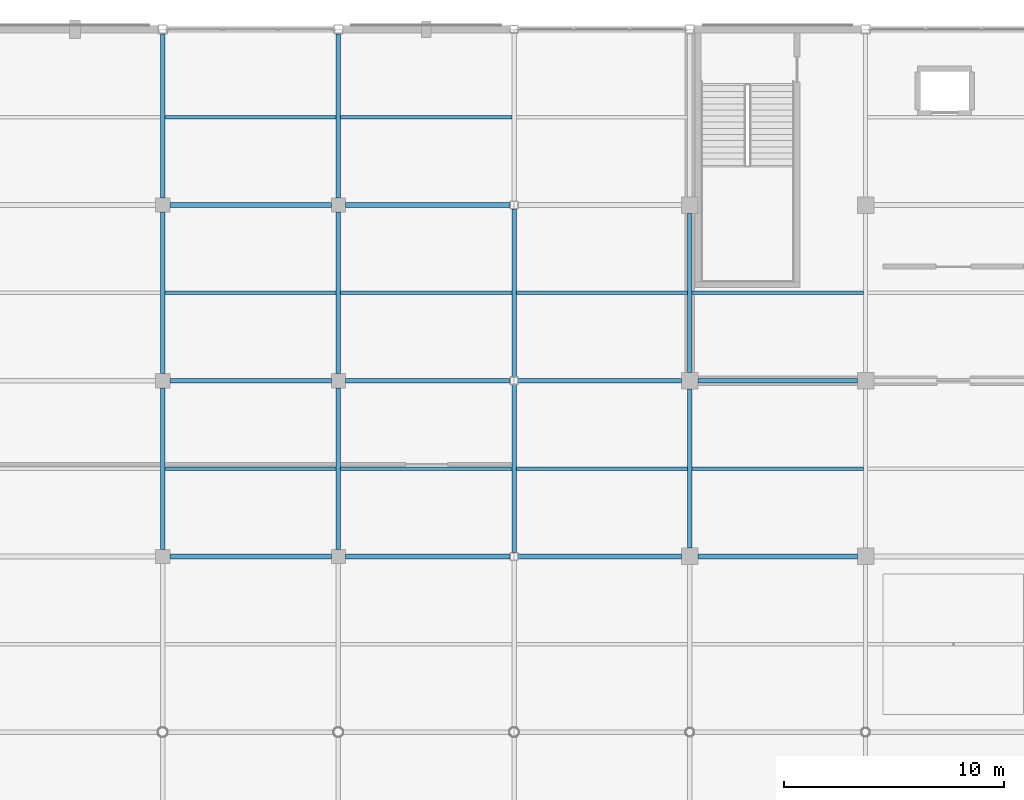
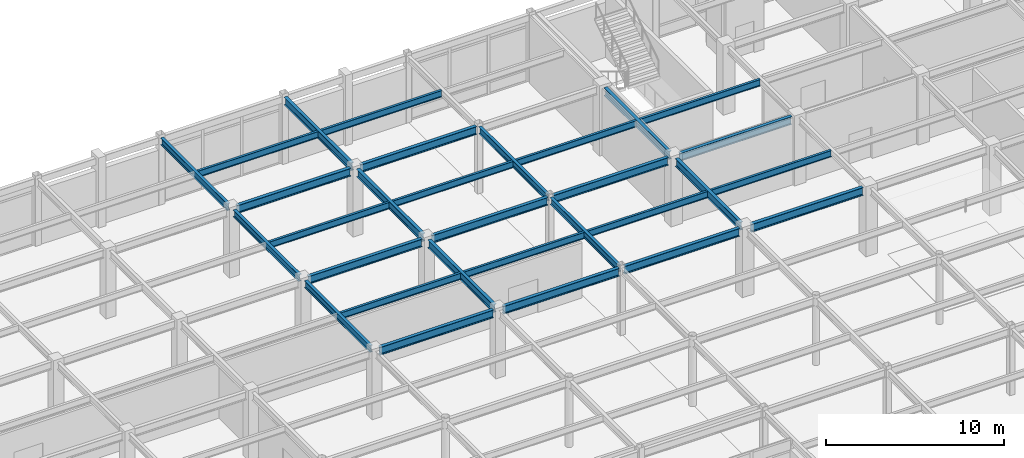
# One storey, part 64 of 117: 30 beams.
"""IFC4 building model written with IfcOpenShell, lengths in metres."""

from ifc_helpers import new_model, si_unit, direction, frame, origin, origin_2d, place, context, subcontext, project, spatial, i_section, extrude, material, material_profile, profile_set, type_object, element, save


model = new_model("IFC4")

# Units and contexts
model_context = context("Model", 3, precision=1e-05, world=origin(), true_north=direction((0.0, 1.0)))
body_context = subcontext(model_context, "Body", "Model", "MODEL_VIEW")
ifc_project = project(units=[si_unit("LENGTHUNIT", "METRE"), si_unit("AREAUNIT", "SQUARE_METRE"), si_unit("VOLUMEUNIT", "CUBIC_METRE"), si_unit("PLANEANGLEUNIT", "RADIAN"), si_unit("MASSUNIT", "GRAM", prefix="KILO")], contexts=[model_context])

# Site, building, storey
site_placement = place(None, origin())
site = spatial("IfcSite", under=ifc_project, at=site_placement, CompositionType="ELEMENT")
building_placement = place(site_placement, origin())
building = spatial("IfcBuilding", under=site, at=building_placement, Name="Solmirada Galleria", CompositionType="ELEMENT")
storey_placement = place(building_placement, frame((0.0, 0.0, 5.60009765625)))
storey = spatial("IfcBuildingStorey", under=building, at=storey_placement, Name="L01", CompositionType="ELEMENT", Elevation=5.60009765625)

# Beams
ifc_material = material(Name="Steel S355 / ASTM A992 Grade 50", Category="steel")
ifc_material_profile_1 = material_profile(ifc_material, i_section(OverallWidth=0.194091796875, OverallDepth=0.468994140625, WebThickness=0.0126953125, FlangeThickness=0.0205078125, FilletRadius=0.013916015625, at=origin_2d()), Name="W18X71")
ifc_profile_set_1 = profile_set([ifc_material_profile_1], Name="Steel S355 / ASTM A992 Grade 50")
beam_type_1 = type_object("IfcBeamType", Name="BM-GIRD-W18B", PredefinedType="BEAM", material=ifc_profile_set_1)
for number, where, z_axis, x_axis, name in (
    (1, (104.0, 96.324951171875, 4.365478515625), (0.0, 1.0, 0.0), (-1.0, 0.0, 0.0), "Primary girder L02 Y(104, 96..104)"),
    (2, (104.0, 104.324951171875, 4.365478515625), (0.0, 1.0, 0.0), (-1.0, 0.0, 0.0), "Primary girder L02 Y(104, 104..112)"),
):
    element("IfcBeam", number, at=place(storey_placement, frame(where, z_axis=z_axis, x_axis=x_axis)), inside=storey, type_object=beam_type_1, Name=name, PredefinedType="BEAM", context=body_context, shape_type="SweptSolid", body=[
        extrude(i_section(OverallWidth=0.194091796875, OverallDepth=0.468994140625, WebThickness=0.0126953125, FlangeThickness=0.0205078125, FilletRadius=0.013916015625, at=origin_2d()), origin(), (0.0, 0.0, 1.0), 7.35009765625),
    ])
beam_1_placement = place(storey_placement, frame((104.0, 112.324951171875, 4.365478515625), z_axis=(0.0, 1.0, 0.0), x_axis=(-1.0, 0.0, 0.0)))
element("IfcBeam", 3, at=beam_1_placement, inside=storey, type_object=beam_type_1, Name="Primary girder L02 Y(104, 112..120)", PredefinedType="BEAM", context=body_context, shape_type="SweptSolid", body=[
    extrude(i_section(OverallWidth=0.194091796875, OverallDepth=0.468994140625, WebThickness=0.0126953125, FlangeThickness=0.0205078125, FilletRadius=0.013916015625, at=origin_2d()), origin(), (0.0, 0.0, 1.0), 7.47216796875),
])
for number, where, z_axis, x_axis, name in (
    (4, (120.0, 96.177978515625, 4.365478515625), (0.0, 1.0, 0.0), (-1.0, 0.0, 0.0), "Primary girder L02 Y(120, 96..104)"),
    (5, (120.0, 104.177978515625, 4.365478515625), (0.0, 1.0, 0.0), (-1.0, 0.0, 0.0), "Primary girder L02 Y(120, 104..112)"),
):
    element("IfcBeam", number, at=place(storey_placement, frame(where, z_axis=z_axis, x_axis=x_axis)), inside=storey, type_object=beam_type_1, Name=name, PredefinedType="BEAM", context=body_context, shape_type="SweptSolid", body=[
        extrude(i_section(OverallWidth=0.194091796875, OverallDepth=0.468994140625, WebThickness=0.0126953125, FlangeThickness=0.0205078125, FilletRadius=0.013916015625, at=origin_2d()), origin(), (0.0, 0.0, 1.0), 7.64404296875),
    ])
ifc_material_profile_2 = material_profile(ifc_material, i_section(OverallWidth=0.214111328125, OverallDepth=0.549072265625, WebThickness=0.0146484375, FlangeThickness=0.023681640625, FilletRadius=0.014892578125, at=origin_2d()), Name="W21X93")
ifc_profile_set_2 = profile_set([ifc_material_profile_2], Name="Steel S355 / ASTM A992 Grade 50")
beam_type_2 = type_object("IfcBeamType", Name="BM-GIRD-W21A", PredefinedType="BEAM", material=ifc_profile_set_2)
for number, where, z_axis, x_axis, name in (
    (6, (104.324951171875, 96.0, 4.325439453125), (1.0, 0.0, 0.0), (0.0, 1.0, 0.0), "Primary beam L02 X(104..112, 96)"),
    (7, (104.324951171875, 112.0, 4.325439453125), (1.0, 0.0, 0.0), (0.0, 1.0, 0.0), "Primary beam L02 X(104..112, 112)"),
):
    element("IfcBeam", number, at=place(storey_placement, frame(where, z_axis=z_axis, x_axis=x_axis)), inside=storey, type_object=beam_type_2, Name=name, PredefinedType="BEAM", context=body_context, shape_type="SweptSolid", body=[
        extrude(i_section(OverallWidth=0.214111328125, OverallDepth=0.549072265625, WebThickness=0.0146484375, FlangeThickness=0.023681640625, FilletRadius=0.014892578125, at=origin_2d()), origin(), (0.0, 0.0, 1.0), 7.35009765625),
    ])
for number, where, z_axis, x_axis, name in (
    (8, (112.324951171875, 96.0, 4.325439453125), (1.0, 0.0, 0.0), (0.0, 1.0, 0.0), "Primary beam L02 X(112..120, 96)"),
    (9, (112.324951171875, 112.0, 4.325439453125), (1.0, 0.0, 0.0), (0.0, 1.0, 0.0), "Primary beam L02 X(112..120, 112)"),
):
    element("IfcBeam", number, at=place(storey_placement, frame(where, z_axis=z_axis, x_axis=x_axis)), inside=storey, type_object=beam_type_2, Name=name, PredefinedType="BEAM", context=body_context, shape_type="SweptSolid", body=[
        extrude(i_section(OverallWidth=0.214111328125, OverallDepth=0.549072265625, WebThickness=0.0146484375, FlangeThickness=0.023681640625, FilletRadius=0.014892578125, at=origin_2d()), origin(), (0.0, 0.0, 1.0), 7.4970703125),
    ])
beam_2_placement = place(storey_placement, frame((120.177978515625, 96.0, 4.325439453125), z_axis=(1.0, 0.0, 0.0), x_axis=(0.0, 1.0, 0.0)))
element("IfcBeam", 10, at=beam_2_placement, inside=storey, type_object=beam_type_2, Name="Primary beam L02 X(120..128, 96)", PredefinedType="BEAM", context=body_context, shape_type="SweptSolid", body=[
    extrude(i_section(OverallWidth=0.214111328125, OverallDepth=0.549072265625, WebThickness=0.0146484375, FlangeThickness=0.023681640625, FilletRadius=0.014892578125, at=origin_2d()), origin(), (0.0, 0.0, 1.0), 7.447021484375),
])
beam_3_placement = place(storey_placement, frame((128.375, 96.0, 4.325439453125), z_axis=(1.0, 0.0, 0.0), x_axis=(0.0, 1.0, 0.0)))
element("IfcBeam", 11, at=beam_3_placement, inside=storey, type_object=beam_type_2, Name="Primary beam L02 X(128..136, 96)", PredefinedType="BEAM", context=body_context, shape_type="SweptSolid", body=[
    extrude(i_section(OverallWidth=0.214111328125, OverallDepth=0.549072265625, WebThickness=0.0146484375, FlangeThickness=0.023681640625, FilletRadius=0.014892578125, at=origin_2d()), origin(), (0.0, 0.0, 1.0), 7.25),
])
ifc_material_profile_3 = material_profile(ifc_material, i_section(OverallWidth=0.2099609375, OverallDepth=0.537109375, WebThickness=0.010986328125, FlangeThickness=0.017333984375, FilletRadius=0.014892578125, at=origin_2d()), Name="W21X68")
ifc_profile_set_3 = profile_set([ifc_material_profile_3], Name="Steel S355 / ASTM A992 Grade 50")
beam_type_3 = type_object("IfcBeamType", Name="BM-GIRD-W21B", PredefinedType="BEAM", material=ifc_profile_set_3)
beam_4_placement = place(storey_placement, frame((104.324951171875, 104.0, 4.331298828125), z_axis=(1.0, 0.0, 0.0), x_axis=(0.0, 1.0, 0.0)))
element("IfcBeam", 12, at=beam_4_placement, inside=storey, type_object=beam_type_3, Name="Primary beam L02 X(104..112, 104)", PredefinedType="BEAM", context=body_context, shape_type="SweptSolid", body=[
    extrude(i_section(OverallWidth=0.2099609375, OverallDepth=0.537109375, WebThickness=0.010986328125, FlangeThickness=0.017333984375, FilletRadius=0.014892578125, at=origin_2d()), origin(), (0.0, 0.0, 1.0), 7.35009765625),
])
beam_5_placement = place(storey_placement, frame((112.324951171875, 104.0, 4.331298828125), z_axis=(1.0, 0.0, 0.0), x_axis=(0.0, 1.0, 0.0)))
element("IfcBeam", 13, at=beam_5_placement, inside=storey, type_object=beam_type_3, Name="Primary beam L02 X(112..120, 104)", PredefinedType="BEAM", context=body_context, shape_type="SweptSolid", body=[
    extrude(i_section(OverallWidth=0.2099609375, OverallDepth=0.537109375, WebThickness=0.010986328125, FlangeThickness=0.017333984375, FilletRadius=0.014892578125, at=origin_2d()), origin(), (0.0, 0.0, 1.0), 7.4970703125),
])
beam_6_placement = place(storey_placement, frame((120.177978515625, 104.0, 4.331298828125), z_axis=(1.0, 0.0, 0.0), x_axis=(0.0, 1.0, 0.0)))
element("IfcBeam", 14, at=beam_6_placement, inside=storey, type_object=beam_type_3, Name="Primary beam L02 X(120..128, 104)", PredefinedType="BEAM", context=body_context, shape_type="SweptSolid", body=[
    extrude(i_section(OverallWidth=0.2099609375, OverallDepth=0.537109375, WebThickness=0.010986328125, FlangeThickness=0.017333984375, FilletRadius=0.014892578125, at=origin_2d()), origin(), (0.0, 0.0, 1.0), 7.447021484375),
])
beam_7_placement = place(storey_placement, frame((128.375, 104.0, 4.331298828125), z_axis=(1.0, 0.0, 0.0), x_axis=(0.0, 1.0, 0.0)))
element("IfcBeam", 15, at=beam_7_placement, inside=storey, type_object=beam_type_3, Name="Primary beam L02 X(128..136, 104)", PredefinedType="BEAM", context=body_context, shape_type="SweptSolid", body=[
    extrude(i_section(OverallWidth=0.2099609375, OverallDepth=0.537109375, WebThickness=0.010986328125, FlangeThickness=0.017333984375, FilletRadius=0.014892578125, at=origin_2d()), origin(), (0.0, 0.0, 1.0), 7.25),
])
for number, where, z_axis, x_axis, name in (
    (16, (112.0, 96.324951171875, 4.331298828125), (0.0, 1.0, 0.0), (-1.0, 0.0, 0.0), "Primary girder L02 Y(112, 96..104)"),
    (17, (112.0, 104.324951171875, 4.331298828125), (0.0, 1.0, 0.0), (-1.0, 0.0, 0.0), "Primary girder L02 Y(112, 104..112)"),
):
    element("IfcBeam", number, at=place(storey_placement, frame(where, z_axis=z_axis, x_axis=x_axis)), inside=storey, type_object=beam_type_3, Name=name, PredefinedType="BEAM", context=body_context, shape_type="SweptSolid", body=[
        extrude(i_section(OverallWidth=0.2099609375, OverallDepth=0.537109375, WebThickness=0.010986328125, FlangeThickness=0.017333984375, FilletRadius=0.014892578125, at=origin_2d()), origin(), (0.0, 0.0, 1.0), 7.35009765625),
    ])
beam_8_placement = place(storey_placement, frame((112.0, 112.324951171875, 4.331298828125), z_axis=(0.0, 1.0, 0.0), x_axis=(-1.0, 0.0, 0.0)))
element("IfcBeam", 18, at=beam_8_placement, inside=storey, type_object=beam_type_3, Name="Primary girder L02 Y(112, 112..120)", PredefinedType="BEAM", context=body_context, shape_type="SweptSolid", body=[
    extrude(i_section(OverallWidth=0.2099609375, OverallDepth=0.537109375, WebThickness=0.010986328125, FlangeThickness=0.017333984375, FilletRadius=0.014892578125, at=origin_2d()), origin(), (0.0, 0.0, 1.0), 7.47216796875),
])
for number, where, z_axis, x_axis, name in (
    (19, (128.0, 96.375, 4.331298828125), (0.0, 1.0, 0.0), (-1.0, 0.0, 0.0), "Primary girder L02 Y(128, 96..104)"),
    (20, (128.0, 104.375, 4.331298828125), (0.0, 1.0, 0.0), (-1.0, 0.0, 0.0), "Primary girder L02 Y(128, 104..112)"),
):
    element("IfcBeam", number, at=place(storey_placement, frame(where, z_axis=z_axis, x_axis=x_axis)), inside=storey, type_object=beam_type_3, Name=name, PredefinedType="BEAM", context=body_context, shape_type="SweptSolid", body=[
        extrude(i_section(OverallWidth=0.2099609375, OverallDepth=0.537109375, WebThickness=0.010986328125, FlangeThickness=0.017333984375, FilletRadius=0.014892578125, at=origin_2d()), origin(), (0.0, 0.0, 1.0), 7.25),
    ])
ifc_material_profile_4 = material_profile(ifc_material, i_section(OverallWidth=0.152099609375, OverallDepth=0.449951171875, WebThickness=0.007568359375, FlangeThickness=0.0107421875, FilletRadius=0.011962890625, at=origin_2d()), Name="W18X35")
ifc_profile_set_4 = profile_set([ifc_material_profile_4], Name="Steel S355 / ASTM A992 Grade 50")
beam_type_4 = type_object("IfcBeamType", Name="BM-JST-W18B", PredefinedType="JOIST", material=ifc_profile_set_4)
for number, where, z_axis, x_axis, name in (
    (21, (104.096923828125, 100.0, 4.375), (1.0, 0.0, 0.0), (0.0, 1.0, 0.0), "Composite floor joist L02 (104..112, 100.0)"),
    (22, (104.096923828125, 108.0, 4.375), (1.0, 0.0, 0.0), (0.0, 1.0, 0.0), "Composite floor joist L02 (104..112, 108.0)"),
    (23, (104.096923828125, 116.0, 4.375), (1.0, 0.0, 0.0), (0.0, 1.0, 0.0), "Composite floor joist L02 (104..112, 116.0)"),
    (24, (112.10498046875, 100.0, 4.375), (1.0, 0.0, 0.0), (0.0, 1.0, 0.0), "Composite floor joist L02 (112..120, 100.0)"),
    (25, (112.10498046875, 108.0, 4.375), (1.0, 0.0, 0.0), (0.0, 1.0, 0.0), "Composite floor joist L02 (112..120, 108.0)"),
    (26, (112.10498046875, 116.0, 4.375), (1.0, 0.0, 0.0), (0.0, 1.0, 0.0), "Composite floor joist L02 (112..120, 116.0)"),
    (27, (120.096923828125, 100.0, 4.375), (1.0, 0.0, 0.0), (0.0, 1.0, 0.0), "Composite floor joist L02 (120..128, 100.0)"),
    (28, (120.096923828125, 108.0, 4.375), (1.0, 0.0, 0.0), (0.0, 1.0, 0.0), "Composite floor joist L02 (120..128, 108.0)"),
    (29, (128.10498046875, 100.0, 4.375), (1.0, 0.0, 0.0), (0.0, 1.0, 0.0), "Composite floor joist L02 (128..136, 100.0)"),
    (30, (128.10498046875, 108.0, 4.375), (1.0, 0.0, 0.0), (0.0, 1.0, 0.0), "Composite floor joist L02 (128..136, 108.0)"),
):
    element("IfcBeam", number, at=place(storey_placement, frame(where, z_axis=z_axis, x_axis=x_axis)), inside=storey, type_object=beam_type_4, Name=name, PredefinedType="JOIST", context=body_context, shape_type="SweptSolid", body=[
        extrude(i_section(OverallWidth=0.152099609375, OverallDepth=0.449951171875, WebThickness=0.007568359375, FlangeThickness=0.0107421875, FilletRadius=0.011962890625, at=origin_2d()), origin(), (0.0, 0.0, 1.0), 7.798095703125),
    ])

save(model, "model.ifc")
